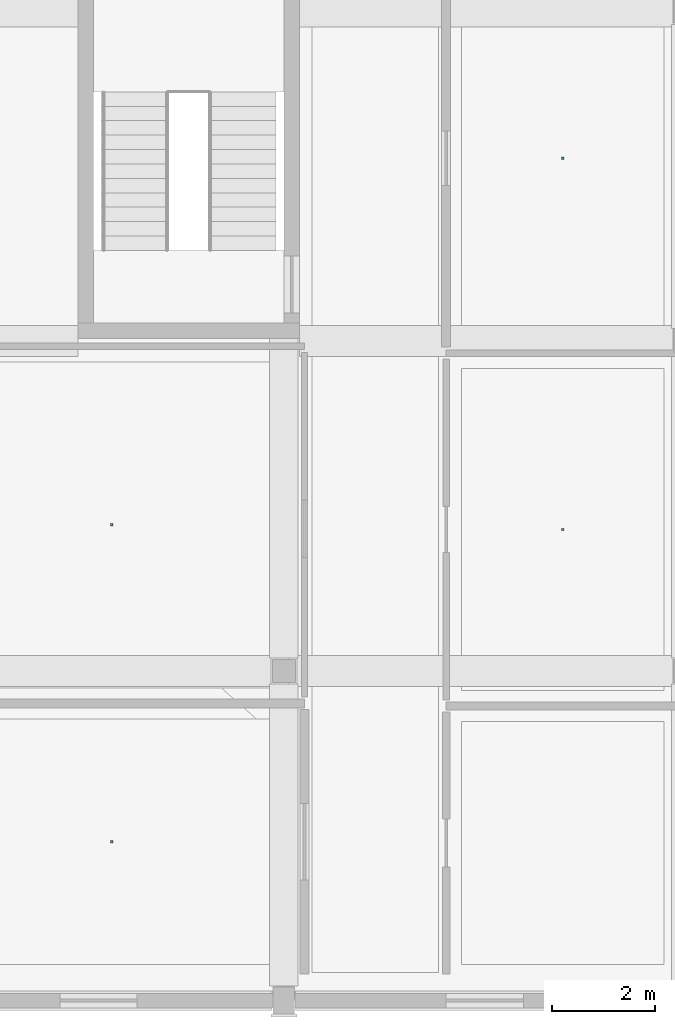
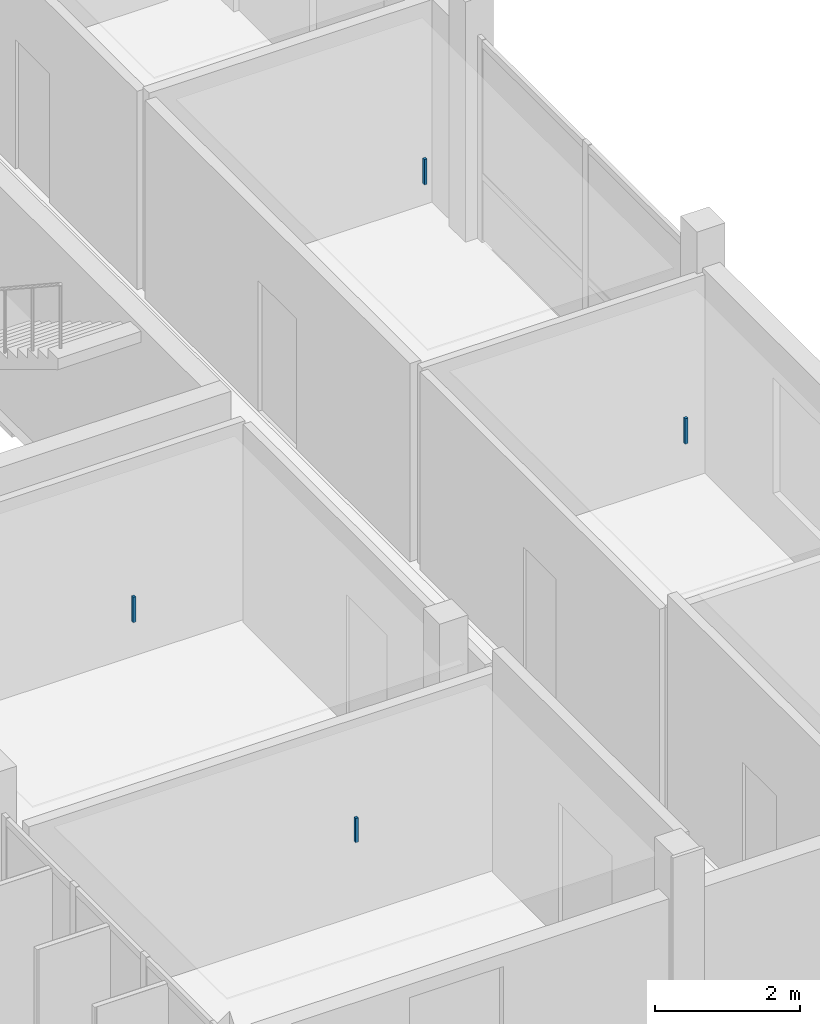
# One storey, part 64 of 86: 4 discrete accessories.
"""IFC4 building model written with IfcOpenShell, lengths in metres."""

from ifc_helpers import new_model, si_unit, derived_unit, direction, frame, origin, origin_2d, place, context, subcontext, project, spatial, rectangle, extrude, material, type_object, element, save


model = new_model("IFC4")

# Units and contexts
model_context = context("Model", 3, precision=1e-05, world=origin(), true_north=direction((0.0, 1.0)))
body_context = subcontext(model_context, "Body", "Model", "MODEL_VIEW")
ifc_project = project(units=[si_unit("LENGTHUNIT", "METRE"), si_unit("AREAUNIT", "SQUARE_METRE"), si_unit("VOLUMEUNIT", "CUBIC_METRE"), si_unit("PLANEANGLEUNIT", "RADIAN"), si_unit("MASSUNIT", "GRAM", prefix="KILO"), derived_unit("THERMALTRANSMITTANCEUNIT", [(si_unit("POWERUNIT", "WATT"), 1), (si_unit("LENGTHUNIT", "METRE"), -2), (si_unit("THERMODYNAMICTEMPERATUREUNIT", "KELVIN"), -1)])], contexts=[model_context])

# Site, building, storey
site_placement = place(None, origin())
site = spatial("IfcSite", under=ifc_project, at=site_placement, CompositionType="ELEMENT")
building_placement = place(site_placement, origin())
building = spatial("IfcBuilding", under=site, at=building_placement, Name="Braskholm Square Health Centre", CompositionType="ELEMENT")
storey_placement = place(building_placement, frame((0.0, 0.0, 13.5)))
storey = spatial("IfcBuildingStorey", under=building, at=storey_placement, Name="L04", CompositionType="ELEMENT", Elevation=13.5)

# Discrete accessories
ifc_material = material(Name="Steel ASTM A500 Grade C", Category="steel")
discrete_accessory_type = type_object("IfcDiscreteAccessoryType", Name="CeilingSuspensionBracket", PredefinedType="BRACKET", material=ifc_material)
discrete_accessory_placement = place(storey_placement, frame((8.06005859375, 7.284912109375, 3.35205078125), z_axis=(0.0, 0.0, 1.0), x_axis=(1.0, 0.0, 0.0)))
element("IfcDiscreteAccessory", 1, at=discrete_accessory_placement, inside=storey, type_object=discrete_accessory_type, Name="Ceiling hanger bracket 0060", PredefinedType="BRACKET", context=body_context, shape_type="SweptSolid", body=[
    extrude(rectangle(XDim=0.044921875, YDim=0.044921875, at=origin_2d()), origin(), (0.0, 0.0, 1.0), 0.409912109375),
])
for number, where, z_axis, x_axis, name in (
    (2, (8.06005859375, 13.43505859375, 3.33203125), (0.0, 0.0, 1.0), (1.0, 0.0, 0.0), "Ceiling hanger bracket 0061"),
    (3, (16.81494140625, 13.344970703125, 3.33203125), (0.0, 0.0, 1.0), (1.0, 0.0, 0.0), "Ceiling hanger bracket 0070"),
    (4, (16.81494140625, 20.550048828125, 3.33203125), (0.0, 0.0, 1.0), (1.0, 0.0, 0.0), "Ceiling hanger bracket 0071"),
):
    element("IfcDiscreteAccessory", number, at=place(storey_placement, frame(where, z_axis=z_axis, x_axis=x_axis)), inside=storey, type_object=discrete_accessory_type, Name=name, PredefinedType="BRACKET", context=body_context, shape_type="SweptSolid", body=[
        extrude(rectangle(XDim=0.044921875, YDim=0.044921875, at=origin_2d()), origin(), (0.0, 0.0, 1.0), 0.429931640625),
    ])

save(model, "model.ifc")
